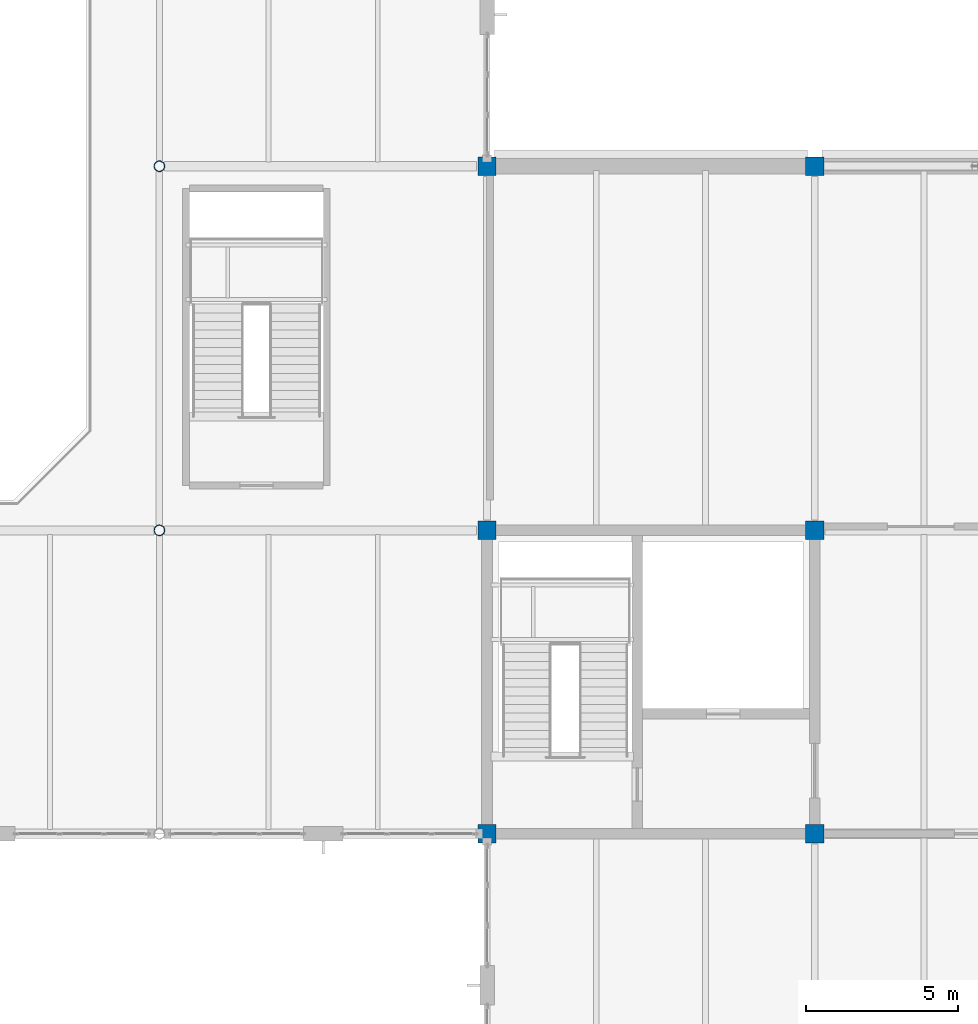
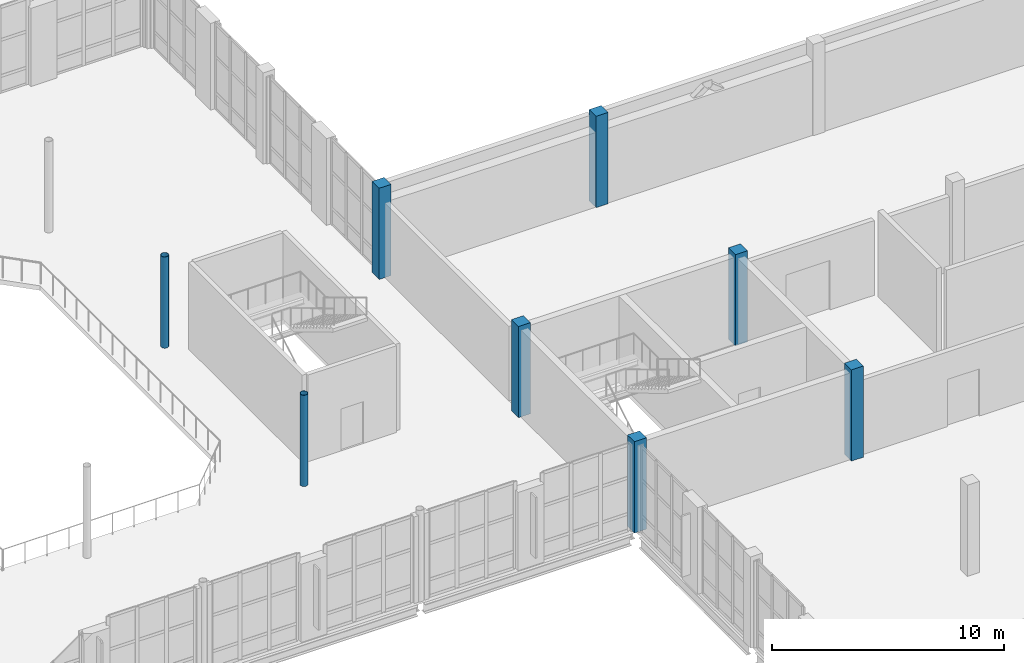
# One storey, part 5 of 100: 8 columns.
"""IFC4 building model written with IfcOpenShell, lengths in metres."""

from ifc_helpers import new_model, si_unit, direction, frame, origin, origin_2d, place, context, subcontext, project, spatial, rectangle, hollow_circle, extrude, material, material_profile, profile_set, type_object, element, save


model = new_model("IFC4")

# Units and contexts
model_context = context("Model", 3, precision=1e-05, world=origin(), true_north=direction((0.0, 1.0)))
body_context = subcontext(model_context, "Body", "Model", "MODEL_VIEW")
ifc_project = project(units=[si_unit("LENGTHUNIT", "METRE"), si_unit("AREAUNIT", "SQUARE_METRE"), si_unit("VOLUMEUNIT", "CUBIC_METRE"), si_unit("PLANEANGLEUNIT", "RADIAN"), si_unit("MASSUNIT", "GRAM", prefix="KILO")], contexts=[model_context])

# Site, building, storey
site_placement = place(None, origin())
site = spatial("IfcSite", under=ifc_project, at=site_placement, CompositionType="ELEMENT")
building_placement = place(site_placement, origin())
building = spatial("IfcBuilding", under=site, at=building_placement, Name="Tasgan Crest Museum", CompositionType="ELEMENT")
storey_placement = place(building_placement, frame((0.0, 0.0, 9.60009765625)))
storey = spatial("IfcBuildingStorey", under=building, at=storey_placement, Name="L02", CompositionType="ELEMENT", Elevation=9.60009765625)

# Columns
ifc_material_1 = material(Name="Steel S355K2", Category="steel")
ifc_material_profile_1 = material_profile(ifc_material_1, hollow_circle(Radius=0.177734375, WallThickness=0.01611328125, at=origin_2d()), Name="CHS 355.6x16")
ifc_profile_set_1 = profile_set([ifc_material_profile_1], Name="Steel S355K2")
column_type_1 = type_object("IfcColumnType", Name="COL-CHS355", PredefinedType="COLUMN", material=ifc_profile_set_1)
for number, where, z_axis, x_axis, name in (
    (1, (97.199951171875, 50.0, 0.0), (0.0, 0.0, 1.0), (1.0, 0.0, 0.0), "Column 10/F L02"),
    (2, (97.199951171875, 62.0, 0.0), (0.0, 0.0, 1.0), (1.0, 0.0, 0.0), "Column 10/G L02"),
):
    element("IfcColumn", number, at=place(storey_placement, frame(where, z_axis=z_axis, x_axis=x_axis)), inside=storey, type_object=column_type_1, Name=name, PredefinedType="COLUMN", context=body_context, shape_type="SweptSolid", body=[
        extrude(hollow_circle(Radius=0.177734375, WallThickness=0.01611328125, at=origin_2d()), origin(), (0.0, 0.0, 1.0), 4.7998046875),
    ])
ifc_material_2 = material(Name="Concrete C40/50", Category="concrete")
ifc_material_profile_2 = material_profile(ifc_material_2, rectangle(XDim=0.60009765625, YDim=0.60009765625, at=origin_2d()), Name="RC 600x600")
ifc_profile_set_2 = profile_set([ifc_material_profile_2], Name="Concrete C40/50")
column_type_2 = type_object("IfcColumnType", Name="COL-RC600", PredefinedType="COLUMN", material=ifc_profile_set_2)
for number, where, z_axis, x_axis, name in (
    (3, (108.0, 40.0, 0.0), (0.0, 0.0, 1.0), (1.0, 0.0, 0.0), "Column 11/E L02"),
    (4, (108.0, 50.0, 0.0), (0.0, 0.0, 1.0), (1.0, 0.0, 0.0), "Column 11/F L02"),
    (5, (108.0, 62.0, 0.0), (0.0, 0.0, 1.0), (1.0, 0.0, 0.0), "Column 11/G L02"),
    (6, (118.800048828125, 40.0, 0.0), (0.0, 0.0, 1.0), (1.0, 0.0, 0.0), "Column 12/E L02"),
    (7, (118.800048828125, 50.0, 0.0), (0.0, 0.0, 1.0), (1.0, 0.0, 0.0), "Column 12/F L02"),
    (8, (118.800048828125, 62.0, 0.0), (0.0, 0.0, 1.0), (1.0, 0.0, 0.0), "Column 12/G L02"),
):
    element("IfcColumn", number, at=place(storey_placement, frame(where, z_axis=z_axis, x_axis=x_axis)), inside=storey, type_object=column_type_2, Name=name, PredefinedType="COLUMN", context=body_context, shape_type="SweptSolid", body=[
        extrude(rectangle(XDim=0.60009765625, YDim=0.60009765625, at=origin_2d()), origin(), (0.0, 0.0, 1.0), 4.7998046875),
    ])

save(model, "model.ifc")
